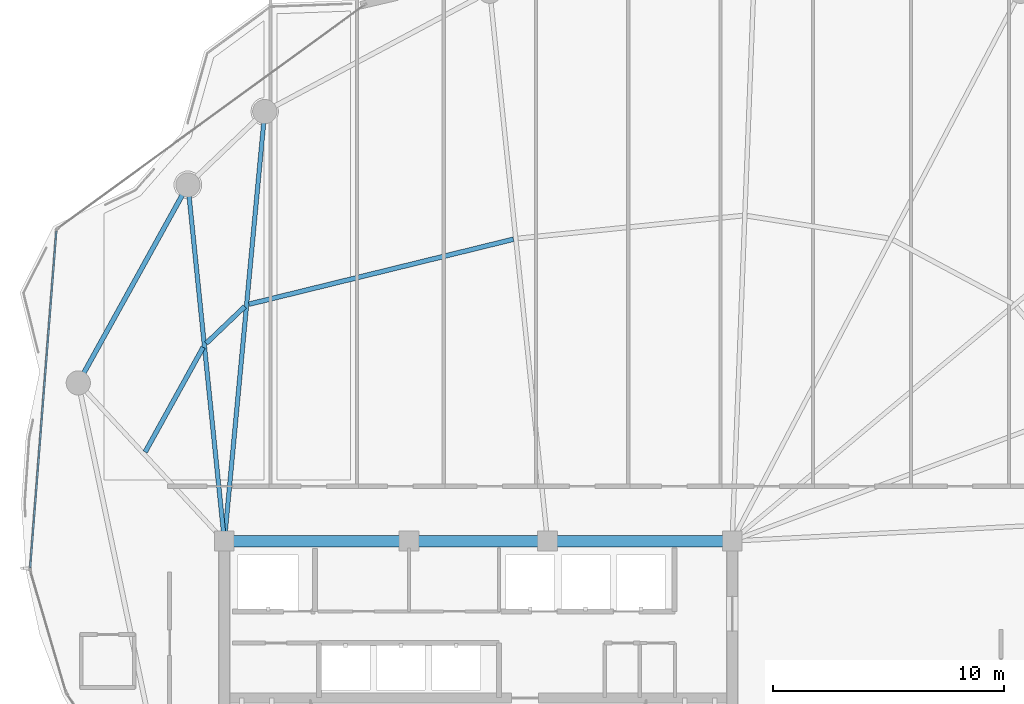
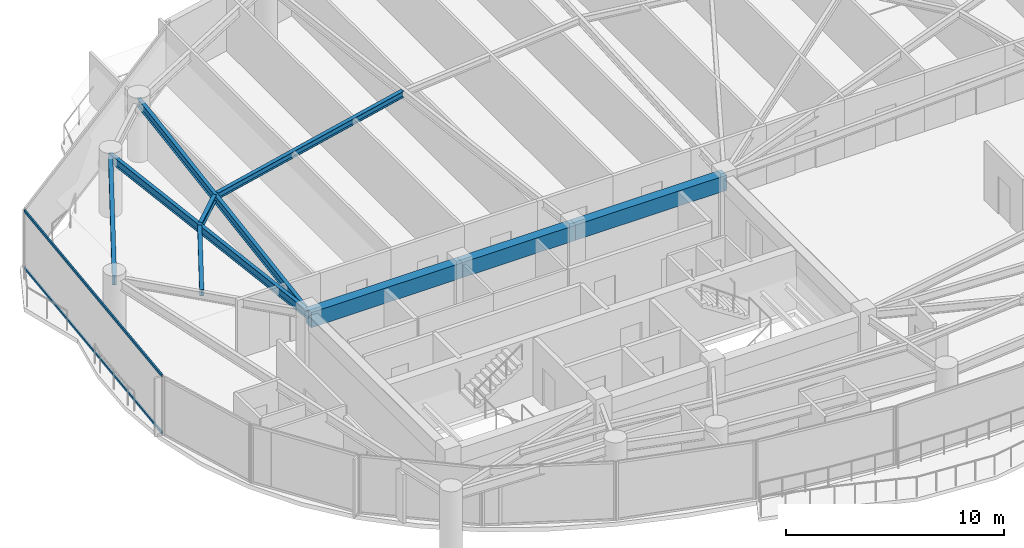
# One storey, part 9 of 31: 9 beams, 2 members, 1 element without a shape of its own.
"""IFC4 building model written with IfcOpenShell, lengths in metres."""

from ifc_helpers import new_model, si_unit, direction, frame, origin, origin_2d, place, context, subcontext, project, spatial, rectangle, hollow_rectangle, i_section, extrude, material, layer, layer_set, material_profile, profile_set, type_object, element, aggregate, save


model = new_model("IFC4")

# Units and contexts
model_context = context("Model", 3, precision=1e-05, world=origin(), true_north=direction((0.0, 1.0)))
body_context = subcontext(model_context, "Body", "Model", "MODEL_VIEW")
ifc_project = project(units=[si_unit("LENGTHUNIT", "METRE"), si_unit("AREAUNIT", "SQUARE_METRE"), si_unit("VOLUMEUNIT", "CUBIC_METRE"), si_unit("PLANEANGLEUNIT", "RADIAN"), si_unit("MASSUNIT", "GRAM", prefix="KILO")], contexts=[model_context])

# Site, building, storey
site_placement = place(None, origin())
site = spatial("IfcSite", under=ifc_project, at=site_placement, CompositionType="ELEMENT")
building_placement = place(site_placement, origin())
building = spatial("IfcBuilding", under=site, at=building_placement, Name="Kazevale Care Tower and Concert Hall", CompositionType="ELEMENT")
storey_placement = place(building_placement, frame((0.0, 0.0, 187.199951171875)))
storey = spatial("IfcBuildingStorey", under=building, at=storey_placement, Name="L49", CompositionType="ELEMENT", Elevation=187.199951171875)

# Curtain wall, members
ifc_material_1 = material(Name="Aluminium 6063-T6 and Low-E Glass", Category="aluminium")
ifc_layer = layer(ifc_material_1, 0.179931640625)
ifc_layer_set = layer_set([ifc_layer], Name="Aluminium 6063-T6 and Low-E Glass")
curtain_wall_type = type_object("IfcCurtainWallType", Name="Waist & Upper Residential Curtain Wall CW-4", PredefinedType="NOTDEFINED", material=ifc_layer_set)
curtain_wall_placement = place(storey_placement, origin())
curtain_wall = element("IfcCurtainWall", 1, at=curtain_wall_placement, inside=storey, type_object=curtain_wall_type, Name="cw:L49:f13", PredefinedType="NOTDEFINED")
ifc_material_2 = material(Name="Aluminium 6063-T6", Category="aluminium")
ifc_material_profile_1 = material_profile(ifc_material_2, hollow_rectangle(XDim=0.080078125, YDim=0.139892578125, WallThickness=0.00390625, at=origin_2d()), Name="ALU80x140x4")
ifc_profile_set_1 = profile_set([ifc_material_profile_1], Name="Aluminium 6063-T6")
member_type = type_object("IfcMemberType", Name="CW-4 Transom ALU80x140x4", PredefinedType="USERDEFINED", material=ifc_profile_set_1)
member_1_placement = place(storey_placement, frame((13.585205078125, 35.23681640625, 0.0400390625), z_axis=(0.077534740898, 0.996989650876, 0.0), x_axis=(-0.996989650876, 0.077534740898, 0.0)))
member_1 = element("IfcMember", 2, at=member_1_placement, type_object=member_type, Name="CW-4 transom 1.1", ObjectType="TRANSOM", PredefinedType="USERDEFINED", context=body_context, shape_type="SweptSolid", body=[
    extrude(hollow_rectangle(XDim=0.080078125, YDim=0.139892578125, WallThickness=0.00390625, at=origin_2d()), origin(), (0.0, 0.0, 1.0), 14.63232421875),
])
member_2_placement = place(storey_placement, frame((13.585205078125, 35.23681640625, 3.239990234375), z_axis=(0.077534740898, 0.996989650876, 0.0), x_axis=(-0.996989650876, 0.077534740898, 0.0)))
member_2 = element("IfcMember", 3, at=member_2_placement, type_object=member_type, Name="CW-4 transom 1.2", ObjectType="TRANSOM", PredefinedType="USERDEFINED", context=body_context, shape_type="SweptSolid", body=[
    extrude(hollow_rectangle(XDim=0.080078125, YDim=0.139892578125, WallThickness=0.00390625, at=origin_2d()), origin(), (0.0, 0.0, 1.0), 14.63232421875),
])
aggregate(curtain_wall, [member_1, member_2])

# Beams
ifc_material_3 = material(Name="Concrete C60", Category="concrete")
ifc_material_profile_2 = material_profile(ifc_material_3, rectangle(XDim=0.5, YDim=0.85009765625, at=origin_2d()), Name="RC-B500x850")
ifc_profile_set_2 = profile_set([ifc_material_profile_2], Name="Concrete C60")
beam_type_1 = type_object("IfcBeamType", Name="Core Coupling Beam RC500x850", PredefinedType="LINTEL", material=ifc_profile_set_2)
beam_1_placement = place(storey_placement, frame((44.0, 36.39990234375, 2.85498046875), z_axis=(-1.0, 0.0, 0.0), x_axis=(0.0, -1.0, 0.0)))
element("IfcBeam", 4, at=beam_1_placement, inside=storey, type_object=beam_type_1, Name="beam:L49:coretie:5", PredefinedType="LINTEL", context=body_context, shape_type="SweptSolid", body=[
    extrude(rectangle(XDim=0.5, YDim=0.85009765625, at=origin_2d()), origin(), (0.0, 0.0, 1.0), 8.0),
])
beam_2_placement = place(storey_placement, frame((36.0, 36.39990234375, 2.85498046875), z_axis=(-1.0, 0.0, 0.0), x_axis=(0.0, -1.0, 0.0)))
element("IfcBeam", 5, at=beam_2_placement, inside=storey, type_object=beam_type_1, Name="beam:L49:coretie:6", PredefinedType="LINTEL", context=body_context, shape_type="SweptSolid", body=[
    extrude(rectangle(XDim=0.5, YDim=0.85009765625, at=origin_2d()), origin(), (0.0, 0.0, 1.0), 6.0),
])
beam_3_placement = place(storey_placement, frame((30.0, 36.39990234375, 2.85498046875), z_axis=(-1.0, 0.0, 0.0), x_axis=(0.0, -1.0, 0.0)))
element("IfcBeam", 6, at=beam_3_placement, inside=storey, type_object=beam_type_1, Name="beam:L49:coretie:7", PredefinedType="LINTEL", context=body_context, shape_type="SweptSolid", body=[
    extrude(rectangle(XDim=0.5, YDim=0.85009765625, at=origin_2d()), origin(), (0.0, 0.0, 1.0), 8.0),
])
ifc_material_4 = material(Name="Steel ASTM A572 Gr 50", Category="steel")
ifc_material_profile_3 = material_profile(ifc_material_4, i_section(OverallWidth=0.19091796875, OverallDepth=0.4599609375, WebThickness=0.010009765625, FlangeThickness=0.01611328125, at=origin_2d()), Name="W460x82")
ifc_profile_set_3 = profile_set([ifc_material_profile_3], Name="Steel ASTM A572 Gr 50")
beam_type_2 = type_object("IfcBeamType", Name="Radial Floor Beam W460x82", PredefinedType="BEAM", material=ifc_profile_set_3)
beam_4_placement = place(storey_placement, frame((22.0, 36.39990234375, 3.050048828125), z_axis=(0.093621904075, 0.995607823933, 0.0), x_axis=(-0.995607823933, 0.093621904075, 0.0)))
element("IfcBeam", 7, at=beam_4_placement, inside=storey, type_object=beam_type_2, Name="beam:L49:rad:07", PredefinedType="BEAM", context=body_context, shape_type="SweptSolid", body=[
    extrude(i_section(OverallWidth=0.19091796875, OverallDepth=0.4599609375, WebThickness=0.010009765625, FlangeThickness=0.01611328125, at=origin_2d()), origin(), (0.0, 0.0, 1.0), 18.692138671875),
])
beam_5_placement = place(storey_placement, frame((22.0, 36.39990234375, 3.050048828125), z_axis=(-0.101869109083, 0.994797810922, 0.0), x_axis=(-0.994797810922, -0.101869109083, 0.0)))
element("IfcBeam", 8, at=beam_5_placement, inside=storey, type_object=beam_type_2, Name="beam:L49:rad:08", PredefinedType="BEAM", context=body_context, shape_type="SweptSolid", body=[
    extrude(i_section(OverallWidth=0.19091796875, OverallDepth=0.4599609375, WebThickness=0.010009765625, FlangeThickness=0.01611328125, at=origin_2d()), origin(), (0.0, 0.0, 1.0), 15.510986328125),
])
ifc_material_profile_4 = material_profile(ifc_material_4, i_section(OverallWidth=0.205078125, OverallDepth=0.35400390625, WebThickness=0.009521484375, FlangeThickness=0.016845703125, at=origin_2d()), Name="W360x79")
ifc_profile_set_4 = profile_set([ifc_material_profile_4], Name="Steel ASTM A572 Gr 50")
beam_type_3 = type_object("IfcBeamType", Name="Secondary Floor Joist W360x79", PredefinedType="JOIST", material=ifc_profile_set_4)
beam_6_placement = place(storey_placement, frame((34.52294921875, 49.47607421875, 3.10302734375), z_axis=(-0.971122715177, -0.238580535809, 0.0), x_axis=(0.238580535809, -0.971122715177, 0.0)))
element("IfcBeam", 9, at=beam_6_placement, inside=storey, type_object=beam_type_3, Name="beam:L49:joist:06", PredefinedType="JOIST", context=body_context, shape_type="SweptSolid", body=[
    extrude(i_section(OverallWidth=0.205078125, OverallDepth=0.35400390625, WebThickness=0.009521484375, FlangeThickness=0.016845703125, at=origin_2d()), origin(), (0.0, 0.0, 1.0), 11.7998046875),
])
beam_7_placement = place(storey_placement, frame((22.886962890625, 46.56298828125, 3.10302734375), z_axis=(-0.723262472539, -0.690573237114, 0.0), x_axis=(0.690573237114, -0.723262472539, 0.0)))
element("IfcBeam", 10, at=beam_7_placement, inside=storey, type_object=beam_type_3, Name="beam:L49:joist:07", PredefinedType="JOIST", context=body_context, shape_type="SweptSolid", body=[
    extrude(i_section(OverallWidth=0.205078125, OverallDepth=0.35400390625, WebThickness=0.009521484375, FlangeThickness=0.016845703125, at=origin_2d()), origin(), (0.0, 0.0, 1.0), 2.32275390625),
])
beam_8_placement = place(storey_placement, frame((21.080078125, 44.794921875, 3.10302734375), z_axis=(-0.484322963201, -0.874889288605, 0.0), x_axis=(0.874889288605, -0.484322963201, 0.0)))
element("IfcBeam", 11, at=beam_8_placement, inside=storey, type_object=beam_type_3, Name="beam:L49:joist:08", PredefinedType="JOIST", context=body_context, shape_type="SweptSolid", body=[
    extrude(i_section(OverallWidth=0.205078125, OverallDepth=0.35400390625, WebThickness=0.009521484375, FlangeThickness=0.016845703125, at=origin_2d()), origin(), (0.0, 0.0, 1.0), 5.1845703125),
])
ifc_material_profile_5 = material_profile(ifc_material_4, i_section(OverallWidth=0.208984375, OverallDepth=0.532958984375, WebThickness=0.01025390625, FlangeThickness=0.015625, at=origin_2d()), Name="W530x92")
ifc_profile_set_5 = profile_set([ifc_material_profile_5], Name="Steel ASTM A572 Gr 50")
beam_type_4 = type_object("IfcBeamType", Name="Upper Ring Beam W530x92", PredefinedType="BEAM", material=ifc_profile_set_5)
beam_9_placement = place(storey_placement, frame((20.419921875, 51.830078125, 3.013427734375), z_axis=(-0.484340382014, -0.874879645637, 0.0), x_axis=(0.874879645637, -0.484340382014, 0.0)))
element("IfcBeam", 12, at=beam_9_placement, inside=storey, type_object=beam_type_4, Name="beam:L49:ring:08", PredefinedType="BEAM", context=body_context, shape_type="SweptSolid", body=[
    extrude(i_section(OverallWidth=0.208984375, OverallDepth=0.532958984375, WebThickness=0.01025390625, FlangeThickness=0.015625, at=origin_2d()), origin(), (0.0, 0.0, 1.0), 9.80712890625),
])

save(model, "model.ifc")
